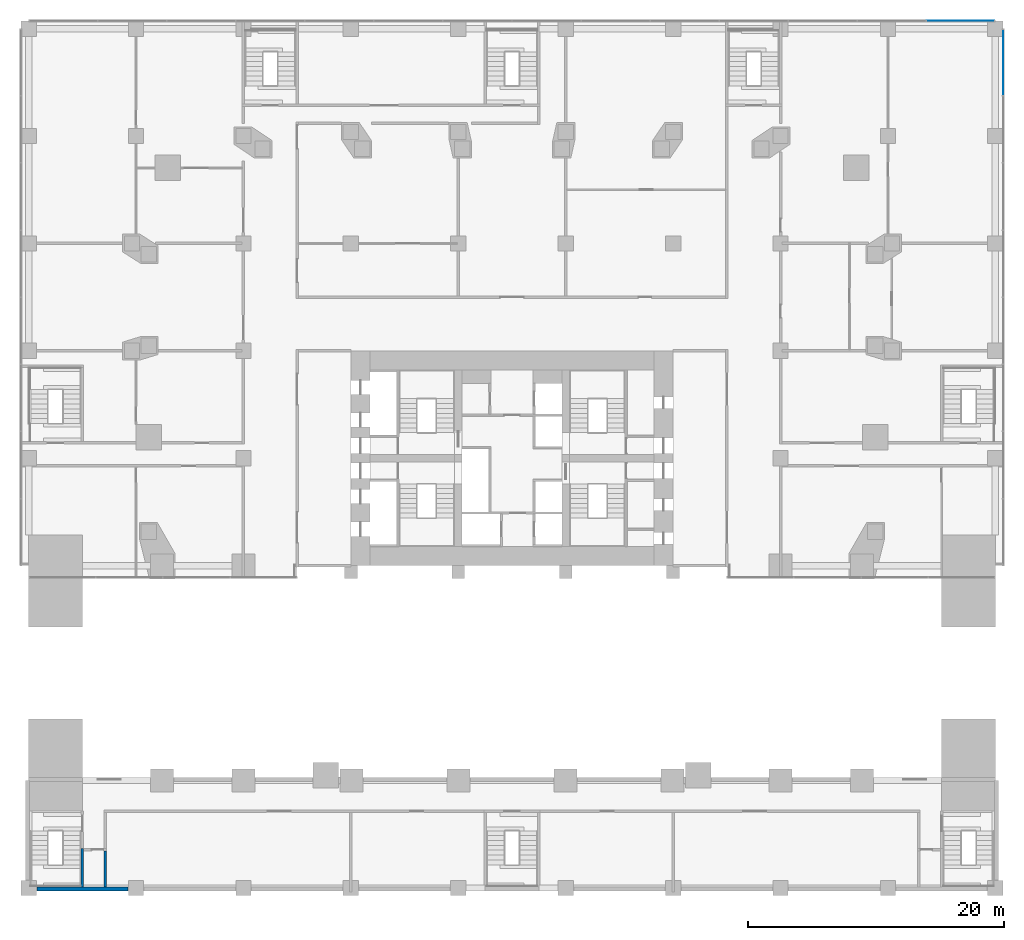
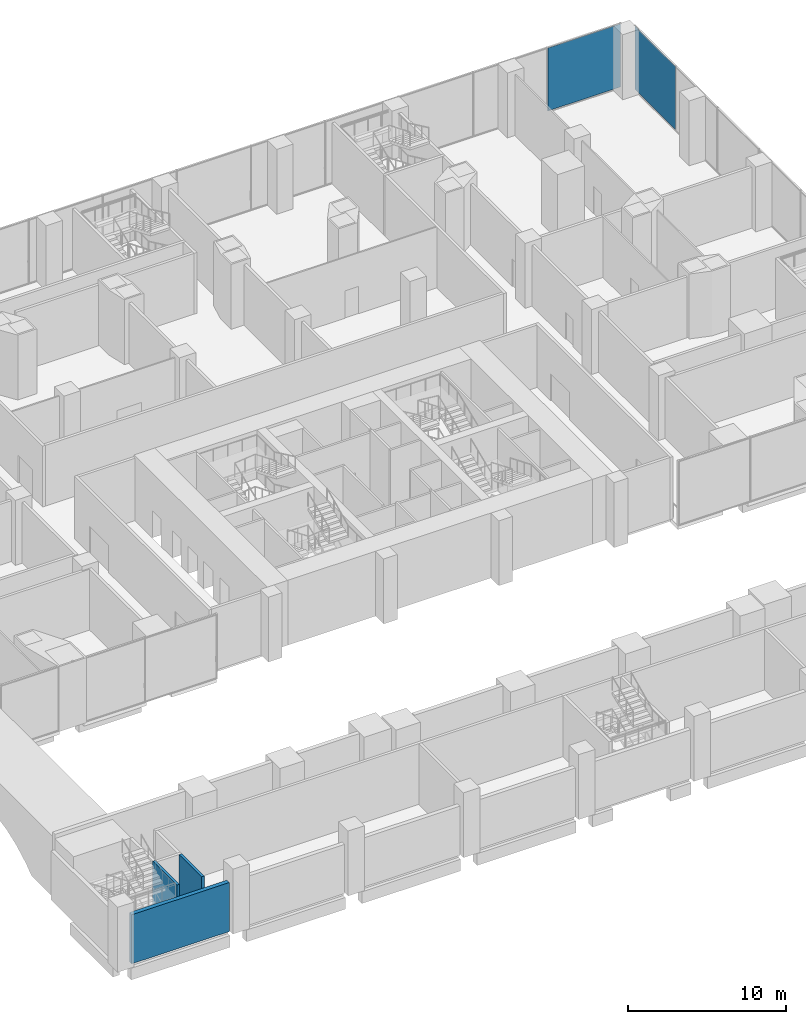
# One storey, part 15 of 28: 3 walls, 2 plates, 2 elements without a shape of their own.
"""IFC4 building model written with IfcOpenShell, lengths in metres."""

from ifc_helpers import new_model, si_unit, direction, frame, frame_2d, origin, origin_2d, place, context, subcontext, project, spatial, rectangle, extrude, material, layer, layer_set, type_object, element, aggregate, save


model = new_model("IFC4")

# Units and contexts
model_context = context("Model", 3, precision=1e-05, world=origin(), true_north=direction((0.0, 1.0)))
body_context = subcontext(model_context, "Body", "Model", "MODEL_VIEW")
ifc_project = project(units=[si_unit("LENGTHUNIT", "METRE"), si_unit("AREAUNIT", "SQUARE_METRE"), si_unit("VOLUMEUNIT", "CUBIC_METRE"), si_unit("PLANEANGLEUNIT", "RADIAN"), si_unit("MASSUNIT", "GRAM", prefix="KILO")], contexts=[model_context])

# Site, building, storey
site_placement = place(None, origin())
site = spatial("IfcSite", under=ifc_project, at=site_placement, CompositionType="ELEMENT")
building_placement = place(site_placement, origin())
building = spatial("IfcBuilding", under=site, at=building_placement, Name="Marenta Gate Hotel Tower", CompositionType="ELEMENT")
storey_placement = place(building_placement, frame((0.0, 0.0, 26.0)))
storey = spatial("IfcBuildingStorey", under=building, at=storey_placement, Name="L04", CompositionType="ELEMENT", Elevation=26.0)

# Curtain wall, plate
ifc_material_1 = material(Name="Tinted insulated glass in bronze anodised frame", Category="glass")
ifc_layer_1 = layer(ifc_material_1, 0.1201171875)
ifc_layer_set_1 = layer_set([ifc_layer_1], Name="Tinted insulated glass in bronze anodised frame")
curtain_wall_type = type_object("IfcCurtainWallType", Name="Wellness glazing CW7", PredefinedType="NOTDEFINED", material=ifc_layer_set_1)
curtain_wall_1_placement = place(storey_placement, origin())
curtain_wall_1 = element("IfcCurtainWall", 1, at=curtain_wall_1_placement, inside=storey, type_object=curtain_wall_type, Name="CW7 run NB-E000", PredefinedType="NOTDEFINED")
ifc_material_2 = material(Name="Tinted insulated glass", Category="glass")
ifc_layer_2 = layer(ifc_material_2, 0.030029296875)
ifc_layer_set_2 = layer_set([ifc_layer_2], Name="Tinted insulated glass")
plate_type = type_object("IfcPlateType", Name="Glass panel CW7 30 mm tinted insulated unit", PredefinedType="CURTAIN_PANEL", material=ifc_layer_set_2)
plate_1_placement = place(storey_placement, frame((38.4140625, 39.356201171875, 0.074951171875), z_axis=(0.0, 0.0, 1.0), x_axis=(0.0, 1.0, 0.0)))
plate_1 = element("IfcPlate", 2, at=plate_1_placement, type_object=plate_type, Name="CW7 panel 8.1", PredefinedType="CURTAIN_PANEL", context=body_context, shape_type="SweptSolid", body=[
    extrude(rectangle(XDim=5.137451171875, YDim=0.030029296875, at=origin_2d()), origin(), (0.0, 0.0, 1.0), 4.85009765625),
])
aggregate(curtain_wall_1, [plate_1])

curtain_wall_2_placement = place(storey_placement, origin())
curtain_wall_2 = element("IfcCurtainWall", 3, at=curtain_wall_2_placement, inside=storey, type_object=curtain_wall_type, Name="CW7 run NB-N000", PredefinedType="NOTDEFINED")
plate_2_placement = place(storey_placement, frame((35.081298828125, 42.614013671875, 0.074951171875), z_axis=(0.0, 0.0, 1.0), x_axis=(-1.0, 0.0, 0.0)))
plate_2 = element("IfcPlate", 4, at=plate_2_placement, type_object=plate_type, Name="CW7 panel 1.1", PredefinedType="CURTAIN_PANEL", context=body_context, shape_type="SweptSolid", body=[
    extrude(rectangle(XDim=5.28759765625, YDim=0.030029296875, at=origin_2d()), origin(), (0.0, 0.0, 1.0), 4.85009765625),
])
aggregate(curtain_wall_2, [plate_2])

# Walls
ifc_material_3 = material(Name="Concrete C40 board-marked", Category="concrete")
ifc_layer_3 = layer(ifc_material_3, 0.300048828125)
ifc_layer_set_3 = layer_set([ifc_layer_3], Name="Concrete C40 board-marked")
wall_type_1 = type_object("IfcWallType", Name="Board-marked concrete wall 300 mm", PredefinedType="NOTDEFINED", material=ifc_layer_set_3)
wall_1_placement = place(storey_placement, frame((-37.159912109375, -25.2900390625, 0.0), z_axis=(0.0, 0.0, 1.0), x_axis=(1.0, 0.0, 0.0)))
element("IfcWall", 5, at=wall_1_placement, inside=storey, type_object=wall_type_1, Name="L04-CLD-SB-S000", PredefinedType="NOTDEFINED", context=body_context, shape_type="SweptSolid", body=[
    extrude(rectangle(XDim=7.119873046875, YDim=0.300048828125, at=frame_2d((3.56005859375, 0.0))), origin(), (0.0, 0.0, 1.0), 3.780029296875),
])
ifc_material_4 = material(Name="Concrete blockwork", Category="masonry")
ifc_layer_4 = layer(ifc_material_4, 0.199951171875)
ifc_layer_set_4 = layer_set([ifc_layer_4], Name="Concrete blockwork")
wall_type_2 = type_object("IfcWallType", Name="Room party wall 200 EI 120", PredefinedType="PARTITIONING", material=ifc_layer_set_4)
wall_2_placement = place(storey_placement, frame((-31.800048828125, -25.139892578125, 0.0), z_axis=(0.0, 0.0, 1.0), x_axis=(0.0, 1.0, 0.0)))
element("IfcWall", 6, at=wall_2_placement, inside=storey, type_object=wall_type_2, Name="L04-PTN-W062", PredefinedType="PARTITIONING", context=body_context, shape_type="SweptSolid", body=[
    extrude(rectangle(XDim=2.83984375, YDim=0.199951171875, at=frame_2d((1.419921875, 0.0))), origin(), (0.0, 0.0, 1.0), 4.679931640625),
])
ifc_material_5 = material(Name="Concrete blockwork", Category="masonry")
ifc_layer_5 = layer(ifc_material_5, 0.199951171875)
ifc_layer_set_5 = layer_set([ifc_layer_5], Name="Concrete blockwork")
wall_type_3 = type_object("IfcWallType", Name="Room party wall 200 REI 180", PredefinedType="PARTITIONING", material=ifc_layer_set_5)
wall_3_placement = place(storey_placement, frame((-33.60009765625, -25.139892578125, 0.0), z_axis=(0.0, 0.0, 1.0), x_axis=(0.0, 1.0, 0.0)))
element("IfcWall", 7, at=wall_3_placement, inside=storey, type_object=wall_type_3, Name="L04-PTN-W064", PredefinedType="PARTITIONING", context=body_context, shape_type="SweptSolid", body=[
    extrude(rectangle(XDim=3.039794921875, YDim=0.199951171875, at=frame_2d((1.52001953125, 0.0))), origin(), (0.0, 0.0, 1.0), 4.679931640625),
])

save(model, "model.ifc")
